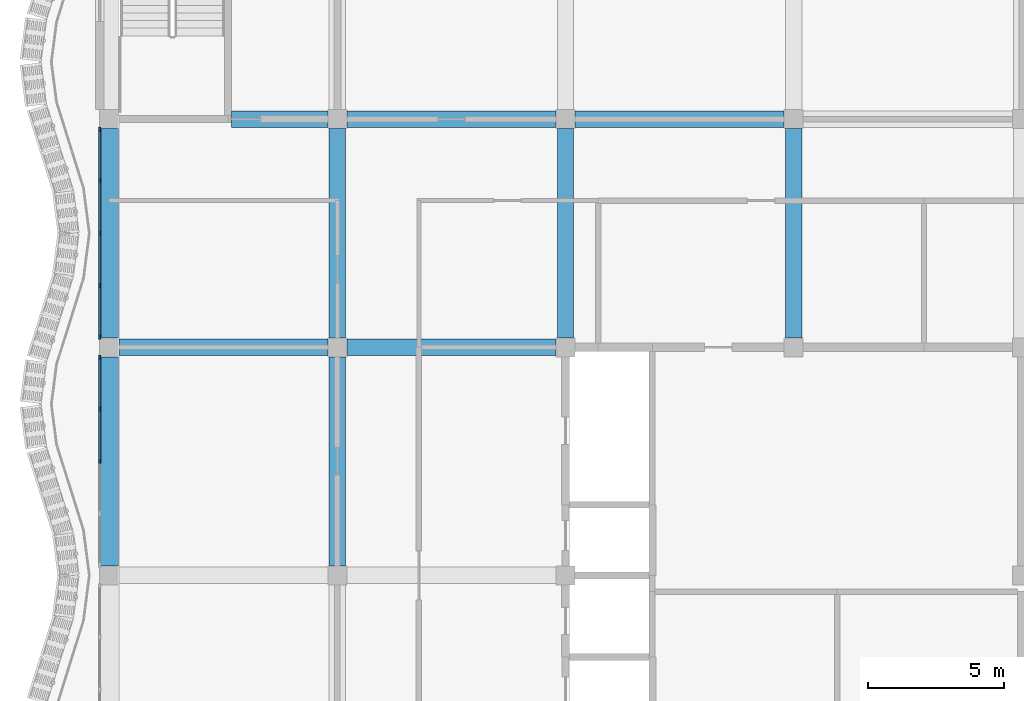
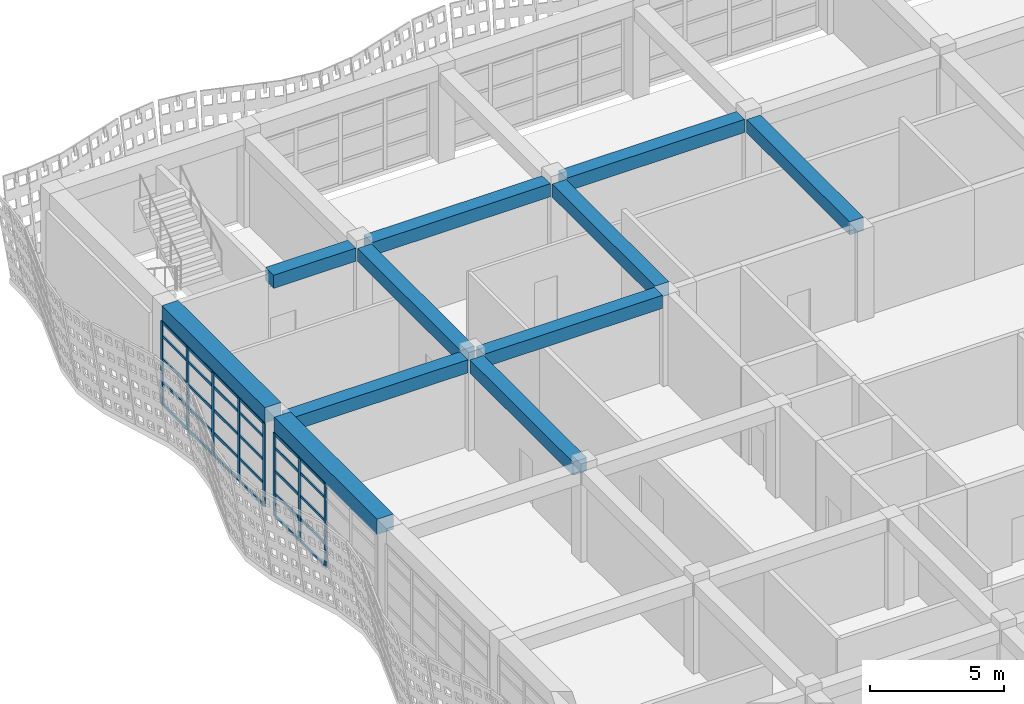
# One storey, part 8 of 163: 38 members, 11 beams, 2 elements without a shape of their own.
"""IFC4 building model written with IfcOpenShell, lengths in metres."""

from ifc_helpers import new_model, si_unit, direction, frame, origin, origin_2d, place, context, subcontext, project, spatial, rectangle, extrude, material, material_profile, profile_set, type_object, element, aggregate, save


model = new_model("IFC4")

# Units and contexts
model_context = context("Model", 3, precision=1e-05, world=origin(), true_north=direction((0.0, 1.0)))
body_context = subcontext(model_context, "Body", "Model", "MODEL_VIEW")
ifc_project = project(units=[si_unit("LENGTHUNIT", "METRE"), si_unit("AREAUNIT", "SQUARE_METRE"), si_unit("VOLUMEUNIT", "CUBIC_METRE"), si_unit("PLANEANGLEUNIT", "RADIAN"), si_unit("MASSUNIT", "GRAM", prefix="KILO")], contexts=[model_context])

# Site, building, storey
site_placement = place(None, origin())
site = spatial("IfcSite", under=ifc_project, at=site_placement, CompositionType="ELEMENT")
building_placement = place(site_placement, origin())
building = spatial("IfcBuilding", under=site, at=building_placement, Name="Rain Tree Exposition and Congress Centre", CompositionType="ELEMENT")
storey_placement = place(building_placement, frame((0.0, 0.0, 10.5)))
storey = spatial("IfcBuildingStorey", under=building, at=storey_placement, Name="L02", CompositionType="ELEMENT", Elevation=10.5)

# Beams
ifc_material_1 = material(Name="Precast concrete C50/60", Category="concrete")
ifc_material_profile_1 = material_profile(ifc_material_1, rectangle(XDim=0.60009765625, YDim=0.60009765625, at=origin_2d()), Name="RC 600x600")
ifc_profile_set_1 = profile_set([ifc_material_profile_1], Name="Precast concrete C50/60")
beam_type_1 = type_object("IfcBeamType", Name="Precast beam 600x600", PredefinedType="BEAM", material=ifc_profile_set_1)
for number, where, z_axis, x_axis, name in (
    (1, (8.39990234375, 25.550048828125, 3.85009765625), (0.0, 1.0, 0.0), (-1.0, 0.0, 0.0), "wing/beam/L02/L03/020"),
    (2, (8.39990234375, 33.949951171875, 3.85009765625), (0.0, 1.0, 0.0), (-1.0, 0.0, 0.0), "wing/beam/L02/L03/022"),
    (3, (16.800048828125, 33.949951171875, 3.85009765625), (0.0, 1.0, 0.0), (-1.0, 0.0, 0.0), "wing/beam/L02/L03/030"),
    (4, (25.199951171875, 33.949951171875, 3.85009765625), (0.0, 1.0, 0.0), (-1.0, 0.0, 0.0), "wing/beam/L02/L03/038"),
    (5, (0.35009765625, 33.60009765625, 3.85009765625), (1.0, 0.0, 0.0), (0.0, 1.0, 0.0), "wing/beam/L02/L03/041"),
    (6, (8.75, 33.60009765625, 3.85009765625), (1.0, 0.0, 0.0), (0.0, 1.0, 0.0), "wing/beam/L02/L03/043"),
):
    element("IfcBeam", number, at=place(storey_placement, frame(where, z_axis=z_axis, x_axis=x_axis)), inside=storey, type_object=beam_type_1, Name=name, PredefinedType="BEAM", context=body_context, shape_type="SweptSolid", body=[
        extrude(rectangle(XDim=0.60009765625, YDim=0.60009765625, at=origin_2d()), origin(), (0.0, 0.0, 1.0), 7.699951171875),
    ])
beam_1_placement = place(storey_placement, frame((4.5, 42.0, 3.85009765625), z_axis=(1.0, 0.0, 0.0), x_axis=(0.0, 1.0, 0.0)))
element("IfcBeam", 7, at=beam_1_placement, inside=storey, type_object=beam_type_1, Name="wing/beam/L02/L03/049", PredefinedType="BEAM", context=body_context, shape_type="SweptSolid", body=[
    extrude(rectangle(XDim=0.60009765625, YDim=0.60009765625, at=origin_2d()), origin(), (0.0, 0.0, 1.0), 3.550048828125),
])
beam_2_placement = place(storey_placement, frame((8.75, 42.0, 3.85009765625), z_axis=(1.0, 0.0, 0.0), x_axis=(0.0, 1.0, 0.0)))
element("IfcBeam", 8, at=beam_2_placement, inside=storey, type_object=beam_type_1, Name="wing/beam/L02/L03/051", PredefinedType="BEAM", context=body_context, shape_type="SweptSolid", body=[
    extrude(rectangle(XDim=0.60009765625, YDim=0.60009765625, at=origin_2d()), origin(), (0.0, 0.0, 1.0), 7.699951171875),
])
beam_3_placement = place(storey_placement, frame((17.14990234375, 42.0, 3.85009765625), z_axis=(1.0, 0.0, 0.0), x_axis=(0.0, 1.0, 0.0)))
element("IfcBeam", 9, at=beam_3_placement, inside=storey, type_object=beam_type_1, Name="wing/beam/L02/L03/053", PredefinedType="BEAM", context=body_context, shape_type="SweptSolid", body=[
    extrude(rectangle(XDim=0.60009765625, YDim=0.60009765625, at=origin_2d()), origin(), (0.0, 0.0, 1.0), 7.7001953125),
])
ifc_material_2 = material(Name="Precast concrete C50/60", Category="concrete")
ifc_material_profile_2 = material_profile(ifc_material_2, rectangle(XDim=0.699951171875, YDim=0.699951171875, at=origin_2d()), Name="RC 700x700")
ifc_profile_set_2 = profile_set([ifc_material_profile_2], Name="Precast concrete C50/60")
beam_type_2 = type_object("IfcBeamType", Name="Precast spandrel beam 700x700", PredefinedType="SPANDREL", material=ifc_profile_set_2)
for number, where, z_axis, x_axis, name in (
    (10, (0.0, 25.550048828125, 4.14990234375), (0.0, 1.0, 0.0), (-1.0, 0.0, 0.0), "wing/beam/L02/L03/008"),
    (11, (0.0, 33.949951171875, 4.14990234375), (0.0, 1.0, 0.0), (-1.0, 0.0, 0.0), "wing/beam/L02/L03/010"),
):
    element("IfcBeam", number, at=place(storey_placement, frame(where, z_axis=z_axis, x_axis=x_axis)), inside=storey, type_object=beam_type_2, Name=name, PredefinedType="SPANDREL", context=body_context, shape_type="SweptSolid", body=[
        extrude(rectangle(XDim=0.699951171875, YDim=0.699951171875, at=origin_2d()), origin(), (0.0, 0.0, 1.0), 7.699951171875),
    ])

# Curtain wall, members
ifc_material_3 = material(Name="Aluminium curtain wall", Category="aluminium")
curtain_wall_type = type_object("IfcCurtainWallType", Name="Wing curtain wall 1925", PredefinedType="NOTDEFINED", material=ifc_material_3)
curtain_wall_1_placement = place(storey_placement, origin())
curtain_wall_1 = element("IfcCurtainWall", 12, at=curtain_wall_1_placement, inside=storey, type_object=curtain_wall_type, Name="Curtain wall CWW310", PredefinedType="NOTDEFINED")
ifc_material_4 = material(Name="Aluminium", Category="aluminium")
ifc_material_profile_3 = material_profile(ifc_material_4, rectangle(XDim=0.06005859375, YDim=0.159912109375, at=origin_2d()), Name="Aluminium 60x160")
ifc_profile_set_3 = profile_set([ifc_material_profile_3], Name="Aluminium")
member_type_1 = type_object("IfcMemberType", Name="Wing mullion 60x160", PredefinedType="MULLION", material=ifc_profile_set_3)
member_1_placement = place(storey_placement, frame((-0.35009765625, 29.39990234375, 0.0), z_axis=(0.0, 0.0, 1.0), x_axis=(-1.0, 0.0, 0.0)))
member_1 = element("IfcMember", 13, at=member_1_placement, type_object=member_type_1, Name="CWW310 mullion 3", PredefinedType="MULLION", context=body_context, shape_type="SweptSolid", body=[
    extrude(rectangle(XDim=0.06005859375, YDim=0.159912109375, at=origin_2d()), origin(), (0.0, 0.0, 1.0), 3.800048828125),
])
member_2_placement = place(storey_placement, frame((-0.35009765625, 31.324951171875, 0.0), z_axis=(0.0, 0.0, 1.0), x_axis=(-1.0, 0.0, 0.0)))
member_2 = element("IfcMember", 14, at=member_2_placement, type_object=member_type_1, Name="CWW310 mullion 4", PredefinedType="MULLION", context=body_context, shape_type="SweptSolid", body=[
    extrude(rectangle(XDim=0.06005859375, YDim=0.159912109375, at=origin_2d()), origin(), (0.0, 0.0, 1.0), 3.800048828125),
])
member_3_placement = place(storey_placement, frame((-0.35009765625, 33.219970703125, 0.0), z_axis=(0.0, 0.0, 1.0), x_axis=(-1.0, 0.0, 0.0)))
member_3 = element("IfcMember", 15, at=member_3_placement, type_object=member_type_1, Name="CWW310 mullion 5", PredefinedType="MULLION", context=body_context, shape_type="SweptSolid", body=[
    extrude(rectangle(XDim=0.06005859375, YDim=0.159912109375, at=origin_2d()), origin(), (0.0, 0.0, 1.0), 3.800048828125),
])

curtain_wall_2_placement = place(storey_placement, origin())
curtain_wall_2 = element("IfcCurtainWall", 16, at=curtain_wall_2_placement, inside=storey, type_object=curtain_wall_type, Name="Curtain wall CWW311", PredefinedType="NOTDEFINED")
member_4_placement = place(storey_placement, frame((-0.35009765625, 33.97998046875, 0.0), z_axis=(0.0, 0.0, 1.0), x_axis=(-1.0, 0.0, 0.0)))
member_4 = element("IfcMember", 17, at=member_4_placement, type_object=member_type_1, Name="CWW311 mullion 1", PredefinedType="MULLION", context=body_context, shape_type="SweptSolid", body=[
    extrude(rectangle(XDim=0.06005859375, YDim=0.159912109375, at=origin_2d()), origin(), (0.0, 0.0, 1.0), 3.800048828125),
])
member_5_placement = place(storey_placement, frame((-0.35009765625, 35.875, 0.0), z_axis=(0.0, 0.0, 1.0), x_axis=(-1.0, 0.0, 0.0)))
member_5 = element("IfcMember", 18, at=member_5_placement, type_object=member_type_1, Name="CWW311 mullion 2", PredefinedType="MULLION", context=body_context, shape_type="SweptSolid", body=[
    extrude(rectangle(XDim=0.06005859375, YDim=0.159912109375, at=origin_2d()), origin(), (0.0, 0.0, 1.0), 3.800048828125),
])
member_6_placement = place(storey_placement, frame((-0.35009765625, 37.800048828125, 0.0), z_axis=(0.0, 0.0, 1.0), x_axis=(-1.0, 0.0, 0.0)))
member_6 = element("IfcMember", 19, at=member_6_placement, type_object=member_type_1, Name="CWW311 mullion 3", PredefinedType="MULLION", context=body_context, shape_type="SweptSolid", body=[
    extrude(rectangle(XDim=0.06005859375, YDim=0.159912109375, at=origin_2d()), origin(), (0.0, 0.0, 1.0), 3.800048828125),
])
member_7_placement = place(storey_placement, frame((-0.35009765625, 39.72509765625, 0.0), z_axis=(0.0, 0.0, 1.0), x_axis=(-1.0, 0.0, 0.0)))
member_7 = element("IfcMember", 20, at=member_7_placement, type_object=member_type_1, Name="CWW311 mullion 4", PredefinedType="MULLION", context=body_context, shape_type="SweptSolid", body=[
    extrude(rectangle(XDim=0.06005859375, YDim=0.159912109375, at=origin_2d()), origin(), (0.0, 0.0, 1.0), 3.800048828125),
])
member_8_placement = place(storey_placement, frame((-0.35009765625, 41.6201171875, 0.0), z_axis=(0.0, 0.0, 1.0), x_axis=(-1.0, 0.0, 0.0)))
member_8 = element("IfcMember", 21, at=member_8_placement, type_object=member_type_1, Name="CWW311 mullion 5", PredefinedType="MULLION", context=body_context, shape_type="SweptSolid", body=[
    extrude(rectangle(XDim=0.06005859375, YDim=0.159912109375, at=origin_2d()), origin(), (0.0, 0.0, 1.0), 3.800048828125),
])

# Member
ifc_material_5 = material(Name="Aluminium", Category="aluminium")
ifc_material_profile_4 = material_profile(ifc_material_5, rectangle(XDim=0.06005859375, YDim=0.1201171875, at=origin_2d()), Name="Aluminium 60x120")
ifc_profile_set_4 = profile_set([ifc_material_profile_4], Name="Aluminium")
member_type_2 = type_object("IfcMemberType", Name="Wing transom 60x120", PredefinedType="USERDEFINED", material=ifc_profile_set_4)
member_9_placement = place(storey_placement, frame((-0.35009765625, 29.429931640625, 0.030029296875), z_axis=(0.0, 1.0, 0.0), x_axis=(-1.0, 0.0, 0.0)))
member_9 = element("IfcMember", 22, at=member_9_placement, type_object=member_type_2, Name="CWW310 transom 3.1", ObjectType="TRANSOM", PredefinedType="USERDEFINED", context=body_context, shape_type="SweptSolid", body=[
    extrude(rectangle(XDim=0.06005859375, YDim=0.1201171875, at=origin_2d()), origin(), (0.0, 0.0, 1.0), 1.864990234375),
])

member_10_placement = place(storey_placement, frame((-0.35009765625, 29.429931640625, 1.050048828125), z_axis=(0.0, 1.0, 0.0), x_axis=(-1.0, 0.0, 0.0)))
member_10 = element("IfcMember", 23, at=member_10_placement, type_object=member_type_2, Name="CWW310 transom 3.2", ObjectType="TRANSOM", PredefinedType="USERDEFINED", context=body_context, shape_type="SweptSolid", body=[
    extrude(rectangle(XDim=0.06005859375, YDim=0.1201171875, at=origin_2d()), origin(), (0.0, 0.0, 1.0), 1.864990234375),
])

member_11_placement = place(storey_placement, frame((-0.35009765625, 29.429931640625, 2.10009765625), z_axis=(0.0, 1.0, 0.0), x_axis=(-1.0, 0.0, 0.0)))
member_11 = element("IfcMember", 24, at=member_11_placement, type_object=member_type_2, Name="CWW310 transom 3.3", ObjectType="TRANSOM", PredefinedType="USERDEFINED", context=body_context, shape_type="SweptSolid", body=[
    extrude(rectangle(XDim=0.06005859375, YDim=0.1201171875, at=origin_2d()), origin(), (0.0, 0.0, 1.0), 1.864990234375),
])

member_12_placement = place(storey_placement, frame((-0.35009765625, 29.429931640625, 3.14990234375), z_axis=(0.0, 1.0, 0.0), x_axis=(-1.0, 0.0, 0.0)))
member_12 = element("IfcMember", 25, at=member_12_placement, type_object=member_type_2, Name="CWW310 transom 3.4", ObjectType="TRANSOM", PredefinedType="USERDEFINED", context=body_context, shape_type="SweptSolid", body=[
    extrude(rectangle(XDim=0.06005859375, YDim=0.1201171875, at=origin_2d()), origin(), (0.0, 0.0, 1.0), 1.864990234375),
])

member_13_placement = place(storey_placement, frame((-0.35009765625, 29.429931640625, 3.77001953125), z_axis=(0.0, 1.0, 0.0), x_axis=(-1.0, 0.0, 0.0)))
member_13 = element("IfcMember", 26, at=member_13_placement, type_object=member_type_2, Name="CWW310 transom 3.5", ObjectType="TRANSOM", PredefinedType="USERDEFINED", context=body_context, shape_type="SweptSolid", body=[
    extrude(rectangle(XDim=0.06005859375, YDim=0.1201171875, at=origin_2d()), origin(), (0.0, 0.0, 1.0), 1.864990234375),
])

member_14_placement = place(storey_placement, frame((-0.35009765625, 31.35498046875, 0.030029296875), z_axis=(0.0, 1.0, 0.0), x_axis=(-1.0, 0.0, 0.0)))
member_14 = element("IfcMember", 27, at=member_14_placement, type_object=member_type_2, Name="CWW310 transom 4.1", ObjectType="TRANSOM", PredefinedType="USERDEFINED", context=body_context, shape_type="SweptSolid", body=[
    extrude(rectangle(XDim=0.06005859375, YDim=0.1201171875, at=origin_2d()), origin(), (0.0, 0.0, 1.0), 1.8349609375),
])

member_15_placement = place(storey_placement, frame((-0.35009765625, 31.35498046875, 1.050048828125), z_axis=(0.0, 1.0, 0.0), x_axis=(-1.0, 0.0, 0.0)))
member_15 = element("IfcMember", 28, at=member_15_placement, type_object=member_type_2, Name="CWW310 transom 4.2", ObjectType="TRANSOM", PredefinedType="USERDEFINED", context=body_context, shape_type="SweptSolid", body=[
    extrude(rectangle(XDim=0.06005859375, YDim=0.1201171875, at=origin_2d()), origin(), (0.0, 0.0, 1.0), 1.8349609375),
])

member_16_placement = place(storey_placement, frame((-0.35009765625, 31.35498046875, 2.10009765625), z_axis=(0.0, 1.0, 0.0), x_axis=(-1.0, 0.0, 0.0)))
member_16 = element("IfcMember", 29, at=member_16_placement, type_object=member_type_2, Name="CWW310 transom 4.3", ObjectType="TRANSOM", PredefinedType="USERDEFINED", context=body_context, shape_type="SweptSolid", body=[
    extrude(rectangle(XDim=0.06005859375, YDim=0.1201171875, at=origin_2d()), origin(), (0.0, 0.0, 1.0), 1.8349609375),
])

member_17_placement = place(storey_placement, frame((-0.35009765625, 31.35498046875, 3.14990234375), z_axis=(0.0, 1.0, 0.0), x_axis=(-1.0, 0.0, 0.0)))
member_17 = element("IfcMember", 30, at=member_17_placement, type_object=member_type_2, Name="CWW310 transom 4.4", ObjectType="TRANSOM", PredefinedType="USERDEFINED", context=body_context, shape_type="SweptSolid", body=[
    extrude(rectangle(XDim=0.06005859375, YDim=0.1201171875, at=origin_2d()), origin(), (0.0, 0.0, 1.0), 1.8349609375),
])

member_18_placement = place(storey_placement, frame((-0.35009765625, 31.35498046875, 3.77001953125), z_axis=(0.0, 1.0, 0.0), x_axis=(-1.0, 0.0, 0.0)))
member_18 = element("IfcMember", 31, at=member_18_placement, type_object=member_type_2, Name="CWW310 transom 4.5", ObjectType="TRANSOM", PredefinedType="USERDEFINED", context=body_context, shape_type="SweptSolid", body=[
    extrude(rectangle(XDim=0.06005859375, YDim=0.1201171875, at=origin_2d()), origin(), (0.0, 0.0, 1.0), 1.8349609375),
])

aggregate(curtain_wall_1, [member_1, member_2, member_3, member_9, member_10, member_11, member_12, member_13, member_14, member_15, member_16, member_17, member_18])

member_19_placement = place(storey_placement, frame((-0.35009765625, 34.010009765625, 0.030029296875), z_axis=(0.0, 1.0, 0.0), x_axis=(-1.0, 0.0, 0.0)))
member_19 = element("IfcMember", 32, at=member_19_placement, type_object=member_type_2, Name="CWW311 transom 1.1", ObjectType="TRANSOM", PredefinedType="USERDEFINED", context=body_context, shape_type="SweptSolid", body=[
    extrude(rectangle(XDim=0.06005859375, YDim=0.1201171875, at=origin_2d()), origin(), (0.0, 0.0, 1.0), 1.8349609375),
])

member_20_placement = place(storey_placement, frame((-0.35009765625, 34.010009765625, 1.050048828125), z_axis=(0.0, 1.0, 0.0), x_axis=(-1.0, 0.0, 0.0)))
member_20 = element("IfcMember", 33, at=member_20_placement, type_object=member_type_2, Name="CWW311 transom 1.2", ObjectType="TRANSOM", PredefinedType="USERDEFINED", context=body_context, shape_type="SweptSolid", body=[
    extrude(rectangle(XDim=0.06005859375, YDim=0.1201171875, at=origin_2d()), origin(), (0.0, 0.0, 1.0), 1.8349609375),
])

member_21_placement = place(storey_placement, frame((-0.35009765625, 34.010009765625, 2.10009765625), z_axis=(0.0, 1.0, 0.0), x_axis=(-1.0, 0.0, 0.0)))
member_21 = element("IfcMember", 34, at=member_21_placement, type_object=member_type_2, Name="CWW311 transom 1.3", ObjectType="TRANSOM", PredefinedType="USERDEFINED", context=body_context, shape_type="SweptSolid", body=[
    extrude(rectangle(XDim=0.06005859375, YDim=0.1201171875, at=origin_2d()), origin(), (0.0, 0.0, 1.0), 1.8349609375),
])

member_22_placement = place(storey_placement, frame((-0.35009765625, 34.010009765625, 3.14990234375), z_axis=(0.0, 1.0, 0.0), x_axis=(-1.0, 0.0, 0.0)))
member_22 = element("IfcMember", 35, at=member_22_placement, type_object=member_type_2, Name="CWW311 transom 1.4", ObjectType="TRANSOM", PredefinedType="USERDEFINED", context=body_context, shape_type="SweptSolid", body=[
    extrude(rectangle(XDim=0.06005859375, YDim=0.1201171875, at=origin_2d()), origin(), (0.0, 0.0, 1.0), 1.8349609375),
])

member_23_placement = place(storey_placement, frame((-0.35009765625, 34.010009765625, 3.77001953125), z_axis=(0.0, 1.0, 0.0), x_axis=(-1.0, 0.0, 0.0)))
member_23 = element("IfcMember", 36, at=member_23_placement, type_object=member_type_2, Name="CWW311 transom 1.5", ObjectType="TRANSOM", PredefinedType="USERDEFINED", context=body_context, shape_type="SweptSolid", body=[
    extrude(rectangle(XDim=0.06005859375, YDim=0.1201171875, at=origin_2d()), origin(), (0.0, 0.0, 1.0), 1.8349609375),
])

member_24_placement = place(storey_placement, frame((-0.35009765625, 35.905029296875, 0.030029296875), z_axis=(0.0, 1.0, 0.0), x_axis=(-1.0, 0.0, 0.0)))
member_24 = element("IfcMember", 37, at=member_24_placement, type_object=member_type_2, Name="CWW311 transom 2.1", ObjectType="TRANSOM", PredefinedType="USERDEFINED", context=body_context, shape_type="SweptSolid", body=[
    extrude(rectangle(XDim=0.06005859375, YDim=0.1201171875, at=origin_2d()), origin(), (0.0, 0.0, 1.0), 1.864990234375),
])

member_25_placement = place(storey_placement, frame((-0.35009765625, 35.905029296875, 1.050048828125), z_axis=(0.0, 1.0, 0.0), x_axis=(-1.0, 0.0, 0.0)))
member_25 = element("IfcMember", 38, at=member_25_placement, type_object=member_type_2, Name="CWW311 transom 2.2", ObjectType="TRANSOM", PredefinedType="USERDEFINED", context=body_context, shape_type="SweptSolid", body=[
    extrude(rectangle(XDim=0.06005859375, YDim=0.1201171875, at=origin_2d()), origin(), (0.0, 0.0, 1.0), 1.864990234375),
])

member_26_placement = place(storey_placement, frame((-0.35009765625, 35.905029296875, 2.10009765625), z_axis=(0.0, 1.0, 0.0), x_axis=(-1.0, 0.0, 0.0)))
member_26 = element("IfcMember", 39, at=member_26_placement, type_object=member_type_2, Name="CWW311 transom 2.3", ObjectType="TRANSOM", PredefinedType="USERDEFINED", context=body_context, shape_type="SweptSolid", body=[
    extrude(rectangle(XDim=0.06005859375, YDim=0.1201171875, at=origin_2d()), origin(), (0.0, 0.0, 1.0), 1.864990234375),
])

member_27_placement = place(storey_placement, frame((-0.35009765625, 35.905029296875, 3.14990234375), z_axis=(0.0, 1.0, 0.0), x_axis=(-1.0, 0.0, 0.0)))
member_27 = element("IfcMember", 40, at=member_27_placement, type_object=member_type_2, Name="CWW311 transom 2.4", ObjectType="TRANSOM", PredefinedType="USERDEFINED", context=body_context, shape_type="SweptSolid", body=[
    extrude(rectangle(XDim=0.06005859375, YDim=0.1201171875, at=origin_2d()), origin(), (0.0, 0.0, 1.0), 1.864990234375),
])

member_28_placement = place(storey_placement, frame((-0.35009765625, 35.905029296875, 3.77001953125), z_axis=(0.0, 1.0, 0.0), x_axis=(-1.0, 0.0, 0.0)))
member_28 = element("IfcMember", 41, at=member_28_placement, type_object=member_type_2, Name="CWW311 transom 2.5", ObjectType="TRANSOM", PredefinedType="USERDEFINED", context=body_context, shape_type="SweptSolid", body=[
    extrude(rectangle(XDim=0.06005859375, YDim=0.1201171875, at=origin_2d()), origin(), (0.0, 0.0, 1.0), 1.864990234375),
])

member_29_placement = place(storey_placement, frame((-0.35009765625, 37.830078125, 0.030029296875), z_axis=(0.0, 1.0, 0.0), x_axis=(-1.0, 0.0, 0.0)))
member_29 = element("IfcMember", 42, at=member_29_placement, type_object=member_type_2, Name="CWW311 transom 3.1", ObjectType="TRANSOM", PredefinedType="USERDEFINED", context=body_context, shape_type="SweptSolid", body=[
    extrude(rectangle(XDim=0.06005859375, YDim=0.1201171875, at=origin_2d()), origin(), (0.0, 0.0, 1.0), 1.864990234375),
])

member_30_placement = place(storey_placement, frame((-0.35009765625, 37.830078125, 1.050048828125), z_axis=(0.0, 1.0, 0.0), x_axis=(-1.0, 0.0, 0.0)))
member_30 = element("IfcMember", 43, at=member_30_placement, type_object=member_type_2, Name="CWW311 transom 3.2", ObjectType="TRANSOM", PredefinedType="USERDEFINED", context=body_context, shape_type="SweptSolid", body=[
    extrude(rectangle(XDim=0.06005859375, YDim=0.1201171875, at=origin_2d()), origin(), (0.0, 0.0, 1.0), 1.864990234375),
])

member_31_placement = place(storey_placement, frame((-0.35009765625, 37.830078125, 2.10009765625), z_axis=(0.0, 1.0, 0.0), x_axis=(-1.0, 0.0, 0.0)))
member_31 = element("IfcMember", 44, at=member_31_placement, type_object=member_type_2, Name="CWW311 transom 3.3", ObjectType="TRANSOM", PredefinedType="USERDEFINED", context=body_context, shape_type="SweptSolid", body=[
    extrude(rectangle(XDim=0.06005859375, YDim=0.1201171875, at=origin_2d()), origin(), (0.0, 0.0, 1.0), 1.864990234375),
])

member_32_placement = place(storey_placement, frame((-0.35009765625, 37.830078125, 3.14990234375), z_axis=(0.0, 1.0, 0.0), x_axis=(-1.0, 0.0, 0.0)))
member_32 = element("IfcMember", 45, at=member_32_placement, type_object=member_type_2, Name="CWW311 transom 3.4", ObjectType="TRANSOM", PredefinedType="USERDEFINED", context=body_context, shape_type="SweptSolid", body=[
    extrude(rectangle(XDim=0.06005859375, YDim=0.1201171875, at=origin_2d()), origin(), (0.0, 0.0, 1.0), 1.864990234375),
])

member_33_placement = place(storey_placement, frame((-0.35009765625, 37.830078125, 3.77001953125), z_axis=(0.0, 1.0, 0.0), x_axis=(-1.0, 0.0, 0.0)))
member_33 = element("IfcMember", 46, at=member_33_placement, type_object=member_type_2, Name="CWW311 transom 3.5", ObjectType="TRANSOM", PredefinedType="USERDEFINED", context=body_context, shape_type="SweptSolid", body=[
    extrude(rectangle(XDim=0.06005859375, YDim=0.1201171875, at=origin_2d()), origin(), (0.0, 0.0, 1.0), 1.864990234375),
])

member_34_placement = place(storey_placement, frame((-0.35009765625, 39.7548828125, 0.030029296875), z_axis=(0.0, 1.0, 0.0), x_axis=(-1.0, 0.0, 0.0)))
member_34 = element("IfcMember", 47, at=member_34_placement, type_object=member_type_2, Name="CWW311 transom 4.1", ObjectType="TRANSOM", PredefinedType="USERDEFINED", context=body_context, shape_type="SweptSolid", body=[
    extrude(rectangle(XDim=0.06005859375, YDim=0.1201171875, at=origin_2d()), origin(), (0.0, 0.0, 1.0), 1.835205078125),
])

member_35_placement = place(storey_placement, frame((-0.35009765625, 39.7548828125, 1.050048828125), z_axis=(0.0, 1.0, 0.0), x_axis=(-1.0, 0.0, 0.0)))
member_35 = element("IfcMember", 48, at=member_35_placement, type_object=member_type_2, Name="CWW311 transom 4.2", ObjectType="TRANSOM", PredefinedType="USERDEFINED", context=body_context, shape_type="SweptSolid", body=[
    extrude(rectangle(XDim=0.06005859375, YDim=0.1201171875, at=origin_2d()), origin(), (0.0, 0.0, 1.0), 1.835205078125),
])

member_36_placement = place(storey_placement, frame((-0.35009765625, 39.7548828125, 2.10009765625), z_axis=(0.0, 1.0, 0.0), x_axis=(-1.0, 0.0, 0.0)))
member_36 = element("IfcMember", 49, at=member_36_placement, type_object=member_type_2, Name="CWW311 transom 4.3", ObjectType="TRANSOM", PredefinedType="USERDEFINED", context=body_context, shape_type="SweptSolid", body=[
    extrude(rectangle(XDim=0.06005859375, YDim=0.1201171875, at=origin_2d()), origin(), (0.0, 0.0, 1.0), 1.835205078125),
])

member_37_placement = place(storey_placement, frame((-0.35009765625, 39.7548828125, 3.14990234375), z_axis=(0.0, 1.0, 0.0), x_axis=(-1.0, 0.0, 0.0)))
member_37 = element("IfcMember", 50, at=member_37_placement, type_object=member_type_2, Name="CWW311 transom 4.4", ObjectType="TRANSOM", PredefinedType="USERDEFINED", context=body_context, shape_type="SweptSolid", body=[
    extrude(rectangle(XDim=0.06005859375, YDim=0.1201171875, at=origin_2d()), origin(), (0.0, 0.0, 1.0), 1.835205078125),
])

member_38_placement = place(storey_placement, frame((-0.35009765625, 39.7548828125, 3.77001953125), z_axis=(0.0, 1.0, 0.0), x_axis=(-1.0, 0.0, 0.0)))
member_38 = element("IfcMember", 51, at=member_38_placement, type_object=member_type_2, Name="CWW311 transom 4.5", ObjectType="TRANSOM", PredefinedType="USERDEFINED", context=body_context, shape_type="SweptSolid", body=[
    extrude(rectangle(XDim=0.06005859375, YDim=0.1201171875, at=origin_2d()), origin(), (0.0, 0.0, 1.0), 1.835205078125),
])

aggregate(curtain_wall_2, [member_4, member_5, member_6, member_7, member_8, member_19, member_20, member_21, member_22, member_23, member_24, member_25, member_26, member_27, member_28, member_29, member_30, member_31, member_32, member_33, member_34, member_35, member_36, member_37, member_38])

save(model, "model.ifc")
